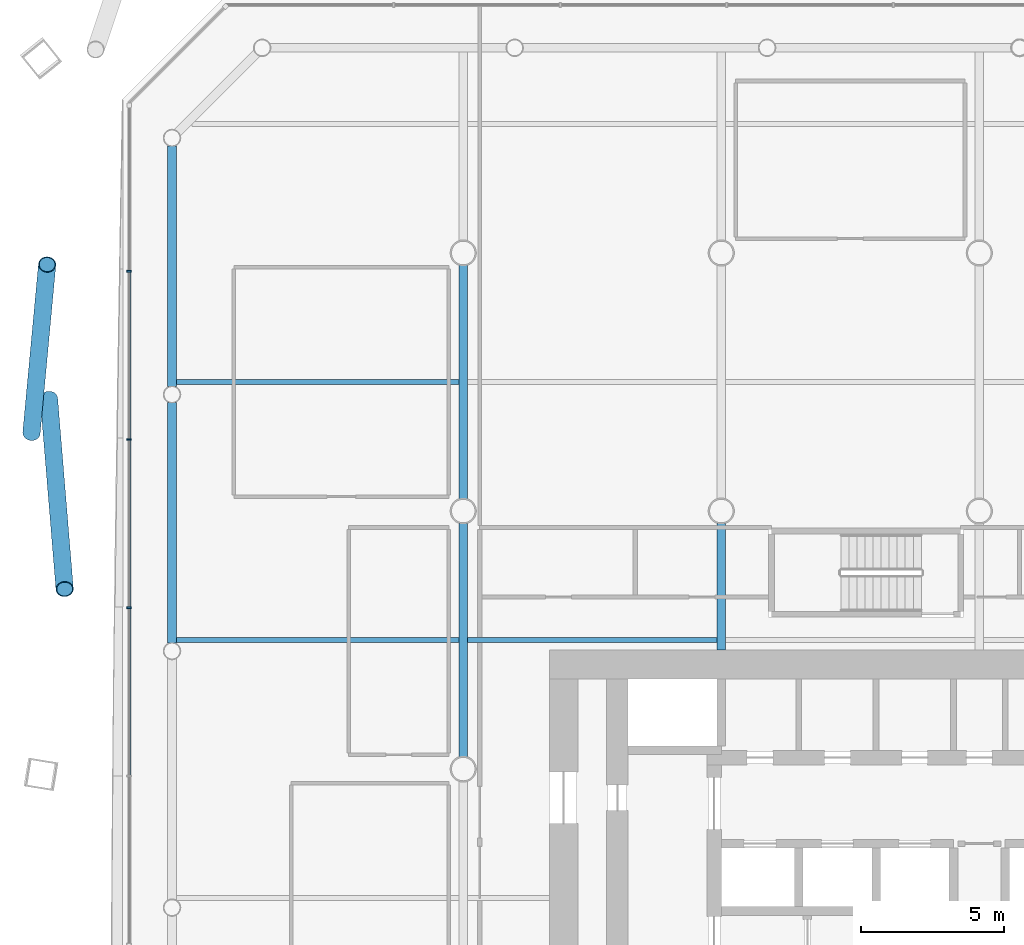
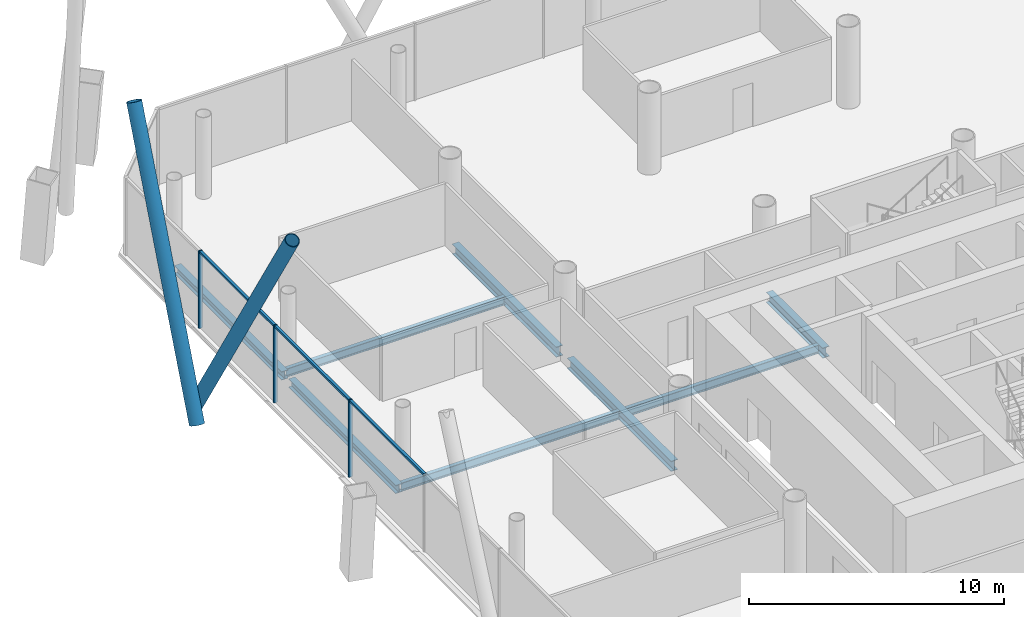
# One storey, part 10 of 25: 8 beams, 8 members, 1 element without a shape of its own.
"""IFC4 building model written with IfcOpenShell, lengths in metres."""

from ifc_helpers import new_model, si_unit, direction, frame, origin, origin_2d, place, context, subcontext, project, spatial, rectangle, hollow_circle, i_section, extrude, material, material_profile, profile_set, type_object, element, aggregate, save


model = new_model("IFC4")

# Units and contexts
model_context = context("Model", 3, precision=1e-05, world=origin(), true_north=direction((0.0, 1.0)))
body_context = subcontext(model_context, "Body", "Model", "MODEL_VIEW")
ifc_project = project(units=[si_unit("LENGTHUNIT", "METRE"), si_unit("AREAUNIT", "SQUARE_METRE"), si_unit("VOLUMEUNIT", "CUBIC_METRE"), si_unit("PLANEANGLEUNIT", "RADIAN"), si_unit("MASSUNIT", "GRAM", prefix="KILO")], contexts=[model_context])

# Site, building, storey
site_placement = place(None, origin())
site = spatial("IfcSite", under=ifc_project, at=site_placement, CompositionType="ELEMENT")
building_placement = place(site_placement, origin())
building = spatial("IfcBuilding", under=site, at=building_placement, Name="Tskaro Facet Tower", CompositionType="ELEMENT")
storey_placement = place(building_placement, frame((0.0, 0.0, 34.199951171875)))
storey = spatial("IfcBuildingStorey", under=building, at=storey_placement, Name="L07", CompositionType="ELEMENT", Elevation=34.199951171875)

# Members
ifc_material_1 = material(Name="Steel S355J2H", Category="steel")
ifc_material_profile_1 = material_profile(ifc_material_1, hollow_circle(Radius=0.304931640625, WallThickness=0.030029296875, at=origin_2d()), Name="CHS 610x30")
ifc_profile_set_1 = profile_set([ifc_material_profile_1], Name="Steel S355J2H")
member_type_1 = type_object("IfcMemberType", Name="CHS 610x30 brace", PredefinedType="BRACE", material=ifc_profile_set_1)
member_1_placement = place(storey_placement, frame((-32.449462890625, 12.91162109375, 0.0), z_axis=(0.040679876712, -0.492873976606, 0.869149233915), x_axis=(0.996611203377, 0.082256363305, 0.0)))
element("IfcMember", 1, at=member_1_placement, inside=storey, type_object=member_type_1, Name="CHS 610x30 XB10A/1", PredefinedType="BRACE", context=body_context, shape_type="SweptSolid", body=[
    extrude(hollow_circle(Radius=0.304931640625, WallThickness=0.030029296875, at=origin_2d()), origin(), (0.0, 0.0, 1.0), 13.46142578125),
])
member_2_placement = place(storey_placement, frame((-33.0595703125, 11.7314453125, 0.0), z_axis=(0.041822472373, 0.447783743865, 0.893163254693), x_axis=(-0.995666660774, 0.092994089186, 0.0)))
element("IfcMember", 2, at=member_2_placement, inside=storey, type_object=member_type_1, Name="CHS 610x30 XB10B/1", PredefinedType="BRACE", context=body_context, shape_type="SweptSolid", body=[
    extrude(hollow_circle(Radius=0.304931640625, WallThickness=0.030029296875, at=origin_2d()), origin(), (0.0, 0.0, 1.0), 13.099365234375),
])

# Curtain wall, members
ifc_material_2 = material(Name="Bronze anodised aluminium 6063-T6", Category="aluminium")
curtain_wall_type = type_object("IfcCurtainWallType", Name="Bronze office curtain wall (FW1)", PredefinedType="NOTDEFINED", material=ifc_material_2)
curtain_wall_placement = place(storey_placement, origin())
curtain_wall = element("IfcCurtainWall", 3, at=curtain_wall_placement, inside=storey, type_object=curtain_wall_type, Name="FW1 west facet L07", PredefinedType="NOTDEFINED")
ifc_material_profile_2 = material_profile(ifc_material_2, rectangle(XDim=0.06005859375, YDim=0.159912109375, at=origin_2d()), Name="Mullion 60x160")
ifc_profile_set_2 = profile_set([ifc_material_profile_2], Name="Bronze anodised aluminium 6063-T6")
member_type_2 = type_object("IfcMemberType", Name="FW1 bronze mullion 60x160", PredefinedType="MULLION", material=ifc_profile_set_2)
member_3_placement = place(storey_placement, frame((-29.654052734375, 17.366455078125, 0.0), z_axis=(0.0, 0.0, 1.0), x_axis=(0.0, -1.0, 0.0)))
member_3 = element("IfcMember", 4, at=member_3_placement, type_object=member_type_2, Name="FW1 west mullion 1", PredefinedType="MULLION", context=body_context, shape_type="SweptSolid", body=[
    extrude(rectangle(XDim=0.06005859375, YDim=0.159912109375, at=origin_2d()), origin(), (0.0, 0.0, 1.0), 3.699951171875),
])
member_4_placement = place(storey_placement, frame((-29.654052734375, 11.498046875, 0.0), z_axis=(0.0, 0.0, 1.0), x_axis=(0.0, -1.0, 0.0)))
member_4 = element("IfcMember", 5, at=member_4_placement, type_object=member_type_2, Name="FW1 west mullion 2", PredefinedType="MULLION", context=body_context, shape_type="SweptSolid", body=[
    extrude(rectangle(XDim=0.06005859375, YDim=0.159912109375, at=origin_2d()), origin(), (0.0, 0.0, 1.0), 3.699951171875),
])
member_5_placement = place(storey_placement, frame((-29.654052734375, 5.62939453125, 0.0), z_axis=(0.0, 0.0, 1.0), x_axis=(0.0, -1.0, 0.0)))
member_5 = element("IfcMember", 6, at=member_5_placement, type_object=member_type_2, Name="FW1 west mullion 3", PredefinedType="MULLION", context=body_context, shape_type="SweptSolid", body=[
    extrude(rectangle(XDim=0.06005859375, YDim=0.159912109375, at=origin_2d()), origin(), (0.0, 0.0, 1.0), 3.699951171875),
])
ifc_material_profile_3 = material_profile(ifc_material_2, rectangle(XDim=0.1201171875, YDim=0.10009765625, at=origin_2d()), Name="Transom 120x100")
ifc_profile_set_3 = profile_set([ifc_material_profile_3], Name="Bronze anodised aluminium 6063-T6")
member_type_3 = type_object("IfcMemberType", Name="FW1 bronze transom 120x100", PredefinedType="USERDEFINED", material=ifc_profile_set_3)
member_6_placement = place(storey_placement, frame((-29.654052734375, 17.33642578125, 3.650146484375), z_axis=(0.0, -1.0, 0.0), x_axis=(1.0, 0.0, 0.0)))
member_6 = element("IfcMember", 7, at=member_6_placement, type_object=member_type_3, Name="FW1 west transom 2.1", ObjectType="TRANSOM", PredefinedType="USERDEFINED", context=body_context, shape_type="SweptSolid", body=[
    extrude(rectangle(XDim=0.1201171875, YDim=0.10009765625, at=origin_2d()), origin(), (0.0, 0.0, 1.0), 5.808349609375),
])
member_7_placement = place(storey_placement, frame((-29.654052734375, 11.468017578125, 3.650146484375), z_axis=(0.0, -1.0, 0.0), x_axis=(1.0, 0.0, 0.0)))
member_7 = element("IfcMember", 8, at=member_7_placement, type_object=member_type_3, Name="FW1 west transom 3.1", ObjectType="TRANSOM", PredefinedType="USERDEFINED", context=body_context, shape_type="SweptSolid", body=[
    extrude(rectangle(XDim=0.1201171875, YDim=0.10009765625, at=origin_2d()), origin(), (0.0, 0.0, 1.0), 5.80859375),
])
member_8_placement = place(storey_placement, frame((-29.654052734375, 5.599609375, 3.650146484375), z_axis=(0.0, -1.0, 0.0), x_axis=(1.0, 0.0, 0.0)))
member_8 = element("IfcMember", 9, at=member_8_placement, type_object=member_type_3, Name="FW1 west transom 4.1", ObjectType="TRANSOM", PredefinedType="USERDEFINED", context=body_context, shape_type="SweptSolid", body=[
    extrude(rectangle(XDim=0.1201171875, YDim=0.10009765625, at=origin_2d()), origin(), (0.0, 0.0, 1.0), 5.80859375),
])
aggregate(curtain_wall, [member_3, member_4, member_5, member_6, member_7, member_8])

# Beams
ifc_material_3 = material(Name="Steel S355J2", Category="steel")
ifc_material_profile_4 = material_profile(ifc_material_3, i_section(OverallWidth=0.300048828125, OverallDepth=0.39990234375, WebThickness=0.013427734375, FlangeThickness=0.02392578125, FilletRadius=0.027099609375, at=origin_2d()), Name="HE 400 B")
ifc_profile_set_4 = profile_set([ifc_material_profile_4], Name="Steel S355J2")
beam_type_1 = type_object("IfcBeamType", Name="HE 400 B ring beam", PredefinedType="BEAM", material=ifc_profile_set_4)
for number, where, z_axis, x_axis, name in (
    (10, (-28.156982421875, 21.737060546875, -0.33984375), (0.0, -1.0, 0.0), (1.0, 0.0, 0.0), "HE 400 B EB20-1"),
    (11, (-28.156982421875, 12.7890625, -0.33984375), (0.0, -1.0, 0.0), (1.0, 0.0, 0.0), "HE 400 B EB21-1"),
):
    element("IfcBeam", number, at=place(storey_placement, frame(where, z_axis=z_axis, x_axis=x_axis)), inside=storey, type_object=beam_type_1, Name=name, PredefinedType="BEAM", context=body_context, shape_type="SweptSolid", body=[
        extrude(i_section(OverallWidth=0.300048828125, OverallDepth=0.39990234375, WebThickness=0.013427734375, FlangeThickness=0.02392578125, FilletRadius=0.027099609375, at=origin_2d()), origin(), (0.0, 0.0, 1.0), 8.39794921875),
    ])
ifc_material_profile_5 = material_profile(ifc_material_3, i_section(OverallWidth=0.300048828125, OverallDepth=0.489990234375, WebThickness=0.011962890625, FlangeThickness=0.02294921875, FilletRadius=0.027099609375, at=origin_2d()), Name="HE 500 A")
ifc_profile_set_5 = profile_set([ifc_material_profile_5], Name="Steel S355J2")
beam_type_2 = type_object("IfcBeamType", Name="HE 500 A girder", PredefinedType="BEAM", material=ifc_profile_set_5)
for number, where, z_axis, x_axis, name in (
    (12, (-18.0, 0.42724609375, -0.385009765625), (0.0, 1.0, 0.0), (-1.0, 0.0, 0.0), "HE 500 A GB2-4-1"),
    (13, (-18.0, 9.42724609375, -0.385009765625), (0.0, 1.0, 0.0), (-1.0, 0.0, 0.0), "HE 500 A GB2-5-1"),
):
    element("IfcBeam", number, at=place(storey_placement, frame(where, z_axis=z_axis, x_axis=x_axis)), inside=storey, type_object=beam_type_2, Name=name, PredefinedType="BEAM", context=body_context, shape_type="SweptSolid", body=[
        extrude(i_section(OverallWidth=0.300048828125, OverallDepth=0.489990234375, WebThickness=0.011962890625, FlangeThickness=0.02294921875, FilletRadius=0.027099609375, at=origin_2d()), origin(), (0.0, 0.0, 1.0), 8.1455078125),
    ])
beam_1_placement = place(storey_placement, frame((-9.0, 4.14990234375, -0.385009765625), z_axis=(0.0, 1.0, 0.0), x_axis=(-1.0, 0.0, 0.0)))
element("IfcBeam", 14, at=beam_1_placement, inside=storey, type_object=beam_type_2, Name="HE 500 A GB3-3-1", PredefinedType="BEAM", context=body_context, shape_type="SweptSolid", body=[
    extrude(i_section(OverallWidth=0.300048828125, OverallDepth=0.489990234375, WebThickness=0.011962890625, FlangeThickness=0.02294921875, FilletRadius=0.027099609375, at=origin_2d()), origin(), (0.0, 0.0, 1.0), 4.4228515625),
])
ifc_material_profile_6 = material_profile(ifc_material_3, i_section(OverallWidth=0.179931640625, OverallDepth=0.39990234375, WebThickness=0.008544921875, FlangeThickness=0.013427734375, FilletRadius=0.02099609375, at=origin_2d()), Name="IPE 400")
ifc_profile_set_6 = profile_set([ifc_material_profile_6], Name="Steel S355J2")
beam_type_3 = type_object("IfcBeamType", Name="IPE 400 secondary beam", PredefinedType="BEAM", material=ifc_profile_set_6)
beam_2_placement = place(storey_placement, frame((-28.007080078125, 4.5, -0.33984375), z_axis=(1.0, 0.0, 0.0), x_axis=(0.0, 1.0, 0.0)))
element("IfcBeam", 15, at=beam_2_placement, inside=storey, type_object=beam_type_3, Name="IPE 400 SB4a-1-1", PredefinedType="BEAM", context=body_context, shape_type="SweptSolid", body=[
    extrude(i_section(OverallWidth=0.179931640625, OverallDepth=0.39990234375, WebThickness=0.008544921875, FlangeThickness=0.013427734375, FilletRadius=0.02099609375, at=origin_2d()), origin(), (0.0, 0.0, 1.0), 9.857177734375),
])
beam_3_placement = place(storey_placement, frame((-17.85009765625, 4.5, -0.33984375), z_axis=(1.0, 0.0, 0.0), x_axis=(0.0, 1.0, 0.0)))
element("IfcBeam", 16, at=beam_3_placement, inside=storey, type_object=beam_type_3, Name="IPE 400 SB4a-2-1", PredefinedType="BEAM", context=body_context, shape_type="SweptSolid", body=[
    extrude(i_section(OverallWidth=0.179931640625, OverallDepth=0.39990234375, WebThickness=0.008544921875, FlangeThickness=0.013427734375, FilletRadius=0.02099609375, at=origin_2d()), origin(), (0.0, 0.0, 1.0), 8.7001953125),
])
beam_4_placement = place(storey_placement, frame((-28.007080078125, 13.5, -0.33984375), z_axis=(1.0, 0.0, 0.0), x_axis=(0.0, 1.0, 0.0)))
element("IfcBeam", 17, at=beam_4_placement, inside=storey, type_object=beam_type_3, Name="IPE 400 SB5a-1-1", PredefinedType="BEAM", context=body_context, shape_type="SweptSolid", body=[
    extrude(i_section(OverallWidth=0.179931640625, OverallDepth=0.39990234375, WebThickness=0.008544921875, FlangeThickness=0.013427734375, FilletRadius=0.02099609375, at=origin_2d()), origin(), (0.0, 0.0, 1.0), 9.857177734375),
])

save(model, "model.ifc")
